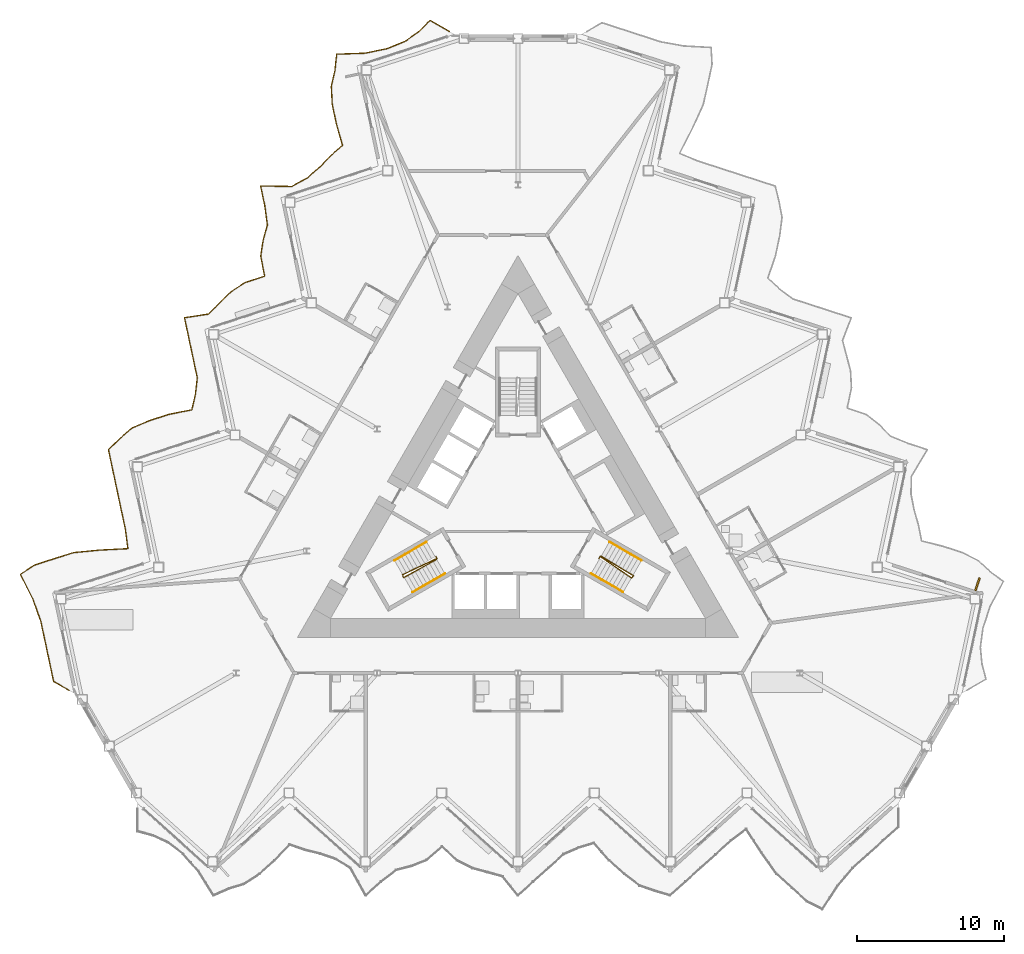
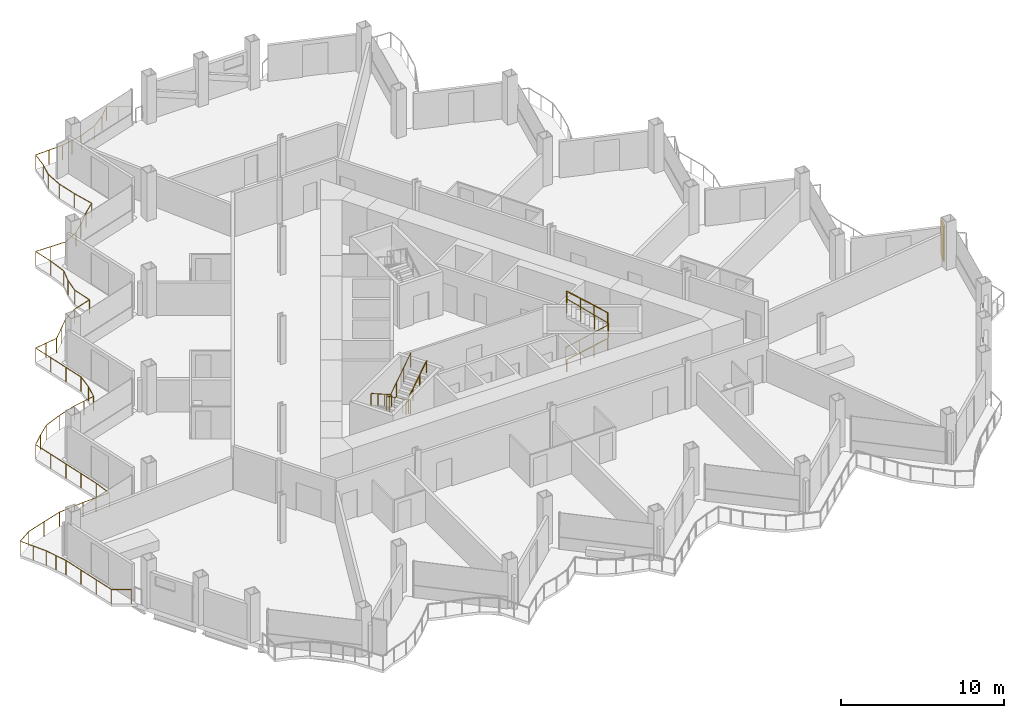
# One storey, part 20 of 24: 7 railings, 1 shading device.
"""IFC4 building model written with IfcOpenShell, lengths in metres."""

from ifc_helpers import new_model, si_unit, direction, frame, origin, origin_2d, place, context, subcontext, project, spatial, rectangle, circle, extrude, material, layer, layer_set, type_object, element, save


model = new_model("IFC4")

# Units and contexts
model_context = context("Model", 3, precision=1e-05, world=origin(), true_north=direction((0.0, 1.0)))
body_context = subcontext(model_context, "Body", "Model", "MODEL_VIEW")
ifc_project = project(units=[si_unit("LENGTHUNIT", "METRE"), si_unit("AREAUNIT", "SQUARE_METRE"), si_unit("VOLUMEUNIT", "CUBIC_METRE"), si_unit("PLANEANGLEUNIT", "RADIAN"), si_unit("MASSUNIT", "GRAM", prefix="KILO")], contexts=[model_context])

# Site, building, storey
site_placement = place(None, origin())
site = spatial("IfcSite", under=ifc_project, at=site_placement, CompositionType="ELEMENT")
building_placement = place(site_placement, origin())
building = spatial("IfcBuilding", under=site, at=building_placement, Name="Cormorant Prow Tower", CompositionType="ELEMENT")
storey_placement = place(building_placement, frame((0.0, 0.0, 234.60009765625)))
storey = spatial("IfcBuildingStorey", under=building, at=storey_placement, Name="L51", CompositionType="ELEMENT", Elevation=234.60009765625)

# Railings
ifc_material_1 = material(Name="Aluminium 6063-T6", Category="aluminium")
railing_type_1 = type_object("IfcRailingType", Name="Balcony guard 1100", PredefinedType="GUARDRAIL", material=ifc_material_1)
railing_1_placement = place(storey_placement, frame((-4.653076171875, 32.54638671875, 0.0)))
element("IfcRailing", 1, at=railing_1_placement, inside=storey, type_object=railing_type_1, Name="Balcony guard WNW", PredefinedType="GUARDRAIL", context=body_context, shape_type="SweptSolid", body=[
    extrude(circle(Radius=0.02392578125, at=origin_2d()), frame((0.0, 0.0, 1.076171875), z_axis=(-0.866030456496, 0.499991248344, 0.0), x_axis=(-0.499991248344, -0.866030456496, 0.0)), (0.0, 0.0, 1.0), 1.52001953125),
    extrude(circle(Radius=0.02392578125, at=origin_2d()), frame((-1.31640625, 0.760009765625, 1.076171875), z_axis=(-0.709948130497, -0.704253968398, 0.0), x_axis=(0.704253968398, -0.709948130497, 0.0)), (0.0, 0.0, 1.0), 1.07177734375),
    extrude(circle(Radius=0.02392578125, at=origin_2d()), frame((-2.077392578125, 0.005126953125, 1.076171875), z_axis=(-0.81387858122, -0.581034986065, 0.0), x_axis=(0.581034986065, -0.81387858122, 0.0)), (0.0, 0.0, 1.0), 1.136474609375),
    extrude(circle(Radius=0.02392578125, at=origin_2d()), frame((-3.00244140625, -0.6552734375, 1.076171875), z_axis=(-0.924048758749, -0.382274628316, 0.0), x_axis=(0.382274628316, -0.924048758749, 0.0)), (0.0, 0.0, 1.0), 1.30419921875),
    extrude(circle(Radius=0.02392578125, at=origin_2d()), frame((-4.20751953125, -1.15380859375, 1.076171875), z_axis=(-0.978951631347, -0.204092389574, 0.0), x_axis=(0.204092389574, -0.978951631347, 0.0)), (0.0, 0.0, 1.0), 1.552734375),
    extrude(circle(Radius=0.02392578125, at=origin_2d()), frame((-5.7275390625, -1.470703125, 1.076171875), z_axis=(-0.99935805819, -0.0358255709, 0.0), x_axis=(0.0358255709, -0.99935805819, 0.0)), (0.0, 0.0, 1.0), 1.948974609375),
    extrude(circle(Radius=0.02392578125, at=origin_2d()), frame((-7.67529296875, -1.54052734375, 1.076171875), z_axis=(-0.105481989889, -0.994421213475, 0.0), x_axis=(0.994421213475, -0.105481989889, 0.0)), (0.0, 0.0, 1.0), 1.1318359375),
    extrude(circle(Radius=0.02392578125, at=origin_2d()), frame((-7.794677734375, -2.666015625, 1.076171875), z_axis=(-0.227943707868, -0.9736743121, 0.0), x_axis=(0.9736743121, -0.227943707868, 0.0)), (0.0, 0.0, 1.0), 1.080810546875),
    extrude(circle(Radius=0.02392578125, at=origin_2d()), frame((-8.041015625, -3.71826171875, 1.076171875), z_axis=(0.052454940014, -0.998623291972, 0.0), x_axis=(0.998623291972, 0.052454940014, 0.0)), (0.0, 0.0, 1.0), 1.2333984375),
    extrude(circle(Radius=0.02392578125, at=origin_2d()), frame((-7.976318359375, -4.949951171875, 1.076171875), z_axis=(0.207839876658, -0.978162862549, 0.0), x_axis=(0.978162862549, 0.207839876658, 0.0)), (0.0, 0.0, 1.0), 1.39208984375),
    extrude(circle(Radius=0.02392578125, at=origin_2d()), frame((-7.68701171875, -6.3115234375, 1.076171875), z_axis=(0.275132806715, -0.961406229785, 0.0), x_axis=(0.961406229785, 0.275132806715, 0.0)), (0.0, 0.0, 1.0), 1.488037109375),
    extrude(circle(Radius=0.02392578125, at=origin_2d()), frame((-7.277587890625, -7.7421875, 1.076171875), z_axis=(-0.753489023011, -0.65746048718, 0.0), x_axis=(0.65746048718, -0.753489023011, 0.0)), (0.0, 0.0, 1.0), 1.09326171875),
    extrude(circle(Radius=0.02392578125, at=origin_2d()), frame((-8.101318359375, -8.4609375, 1.076171875), z_axis=(-0.693813337766, -0.720154880798, 0.0), x_axis=(0.720154880798, -0.693813337766, 0.0)), (0.0, 0.0, 1.0), 1.06591796875),
    extrude(circle(Radius=0.02392578125, at=origin_2d()), frame((-8.8408203125, -9.228515625, 1.076171875), z_axis=(-0.754509398833, -0.656289240405, 0.0), x_axis=(0.656289240405, -0.754509398833, 0.0)), (0.0, 0.0, 1.0), 1.09375),
    extrude(circle(Radius=0.02392578125, at=origin_2d()), frame((-9.666015625, -9.9462890625, 1.076171875), z_axis=(-0.875052262884, -0.484028446706, 0.0), x_axis=(0.484028446706, -0.875052262884, 0.0)), (0.0, 0.0, 1.0), 1.20751953125),
    extrude(circle(Radius=0.02392578125, at=origin_2d()), frame((-10.72265625, -10.53076171875, 1.076171875), z_axis=(-0.999884971682, 0.015167181827, 0.0), x_axis=(-0.015167181827, -0.999884971682, 0.0)), (0.0, 0.0, 1.0), 2.124755859375),
    extrude(circle(Radius=0.02392578125, at=origin_2d()), frame((-12.84716796875, -10.49853515625, 1.076171875), z_axis=(0.207839876658, -0.978162862549, 0.0), x_axis=(0.978162862549, 0.207839876658, 0.0)), (0.0, 0.0, 1.0), 1.39208984375),
    extrude(circle(Radius=0.02392578125, at=origin_2d()), frame((-12.557861328125, -11.860107421875, 1.076171875), z_axis=(0.132384177483, -0.991198481411, 0.0), x_axis=(0.991198481411, 0.132384177483, 0.0)), (0.0, 0.0, 1.0), 1.3056640625),
    extrude(circle(Radius=0.02392578125, at=origin_2d()), frame((-12.385009765625, -13.154296875, 1.076171875), z_axis=(-0.271063528875, -0.962561459499, 0.0), x_axis=(0.962561459499, -0.271063528875, 0.0)), (0.0, 0.0, 1.0), 1.0673828125),
    extrude(circle(Radius=0.02392578125, at=origin_2d()), frame((-12.67431640625, -14.181640625, 1.076171875), z_axis=(-0.145936226657, -0.989293999653, 0.0), x_axis=(0.989293999653, -0.145936226657, 0.0)), (0.0, 0.0, 1.0), 1.112548828125),
    extrude(circle(Radius=0.02392578125, at=origin_2d()), frame((-12.836669921875, -15.2822265625, 1.076171875), z_axis=(0.194408701463, -0.980920616969, 0.0), x_axis=(0.980920616969, 0.194408701463, 0.0)), (0.0, 0.0, 1.0), 1.375),
    extrude(circle(Radius=0.02392578125, at=origin_2d()), frame((-12.5693359375, -16.631103515625, 1.076171875), z_axis=(-0.951110082856, -0.308852084807, 0.0), x_axis=(0.308852084807, -0.951110082856, 0.0)), (0.0, 0.0, 1.0), 1.39208984375),
    extrude(circle(Radius=0.02392578125, at=origin_2d()), frame((-13.893310546875, -17.06103515625, 1.076171875), z_axis=(-0.83799137087, -0.545683481835, 0.0), x_axis=(0.545683481835, -0.83799137087, 0.0)), (0.0, 0.0, 1.0), 1.16015625),
    extrude(circle(Radius=0.02392578125, at=origin_2d()), frame((-14.865478515625, -17.694091796875, 1.076171875), z_axis=(-0.709267259523, -0.704939681511, 0.0), x_axis=(0.704939681511, -0.709267259523, 0.0)), (0.0, 0.0, 1.0), 1.07177734375),
    extrude(circle(Radius=0.02392578125, at=origin_2d()), frame((-15.625732421875, -18.44970703125, 1.076171875), z_axis=(-0.710627202132, -0.703568745462, 0.0), x_axis=(0.703568745462, -0.710627202132, 0.0)), (0.0, 0.0, 1.0), 1.072265625),
    extrude(circle(Radius=0.02392578125, at=origin_2d()), frame((-16.3876953125, -19.2041015625, 1.076171875), z_axis=(-0.988237955064, -0.152923981673, 0.0), x_axis=(0.152923981673, -0.988237955064, 0.0)), (0.0, 0.0, 1.0), 1.65087890625),
    extrude(circle(Radius=0.02392578125, at=origin_2d()), frame((-18.01904296875, -19.45654296875, 1.076171875), z_axis=(0.207839876658, -0.978162862549, 0.0), x_axis=(0.978162862549, 0.207839876658, 0.0)), (0.0, 0.0, 1.0), 1.39208984375),
    extrude(circle(Radius=0.02392578125, at=origin_2d()), frame((-17.729736328125, -20.818115234375, 1.076171875), z_axis=(0.207875540112, -0.978155284105, 0.0), x_axis=(0.978155284105, 0.207875540112, 0.0)), (0.0, 0.0, 1.0), 1.391845703125),
    extrude(circle(Radius=0.02392578125, at=origin_2d()), frame((-17.4404296875, -22.179443359375, 1.076171875), z_axis=(0.207839876658, -0.978162862549, 0.0), x_axis=(0.978162862549, 0.207839876658, 0.0)), (0.0, 0.0, 1.0), 1.39208984375),
    extrude(circle(Radius=0.02392578125, at=origin_2d()), frame((-17.151123046875, -23.541015625, 1.076171875), z_axis=(-0.110716329171, -0.993852048574, 0.0), x_axis=(0.993852048574, -0.110716329171, 0.0)), (0.0, 0.0, 1.0), 1.12890625),
    extrude(circle(Radius=0.02392578125, at=origin_2d()), frame((-17.276123046875, -24.6630859375, 1.076171875), z_axis=(-0.22645869975, -0.974020768417, 0.0), x_axis=(0.974020768417, -0.22645869975, 0.0)), (0.0, 0.0, 1.0), 1.081298828125),
    extrude(circle(Radius=0.02392578125, at=origin_2d()), frame((-17.52099609375, -25.71630859375, 1.076171875), z_axis=(-0.981319493384, -0.192385165501, 0.0), x_axis=(0.192385165501, -0.981319493384, 0.0)), (0.0, 0.0, 1.0), 1.573486328125),
    extrude(circle(Radius=0.02392578125, at=origin_2d()), frame((-19.065185546875, -26.01904296875, 1.076171875), z_axis=(-0.951041802481, -0.30906227517, 0.0), x_axis=(0.30906227517, -0.951041802481, 0.0)), (0.0, 0.0, 1.0), 1.391845703125),
    extrude(circle(Radius=0.02392578125, at=origin_2d()), frame((-20.388916015625, -26.44921875, 1.076171875), z_axis=(-0.922670967492, -0.385588233414, 0.0), x_axis=(0.385588233414, -0.922670967492, 0.0)), (0.0, 0.0, 1.0), 1.300537109375),
    extrude(circle(Radius=0.02392578125, at=origin_2d()), frame((-21.5888671875, -26.95068359375, 1.076171875), z_axis=(-0.752258281375, -0.658868331385, 0.0), x_axis=(0.658868331385, -0.752258281375, 0.0)), (0.0, 0.0, 1.0), 1.0927734375),
    extrude(circle(Radius=0.02392578125, at=origin_2d()), frame((-22.410888671875, -27.670654296875, 1.076171875), z_axis=(-0.723669142106, -0.69014706604, 0.0), x_axis=(0.69014706604, -0.723669142106, 0.0)), (0.0, 0.0, 1.0), 1.077880859375),
    extrude(circle(Radius=0.02392578125, at=origin_2d()), frame((-23.19091796875, -28.41455078125, 1.076171875), z_axis=(0.207875540112, -0.978155284105, 0.0), x_axis=(0.978155284105, 0.207875540112, 0.0)), (0.0, 0.0, 1.0), 1.391845703125),
    extrude(circle(Radius=0.02392578125, at=origin_2d()), frame((-22.901611328125, -29.77587890625, 1.076171875), z_axis=(0.207839876658, -0.978162862549, 0.0), x_axis=(0.978162862549, 0.207839876658, 0.0)), (0.0, 0.0, 1.0), 1.39208984375),
    extrude(circle(Radius=0.02392578125, at=origin_2d()), frame((-22.6123046875, -31.137451171875, 1.076171875), z_axis=(0.207839876658, -0.978162862549, 0.0), x_axis=(0.978162862549, 0.207839876658, 0.0)), (0.0, 0.0, 1.0), 1.39208984375),
    extrude(circle(Radius=0.02392578125, at=origin_2d()), frame((-22.322998046875, -32.4990234375, 1.076171875), z_axis=(0.208007683287, -0.978127191982, 0.0), x_axis=(0.978127191982, 0.208007683287, 0.0)), (0.0, 0.0, 1.0), 1.39208984375),
    extrude(circle(Radius=0.02392578125, at=origin_2d()), frame((-22.033447265625, -33.860595703125, 1.076171875), z_axis=(0.128304635075, -0.991734803573, 0.0), x_axis=(0.991734803573, 0.128304635075, 0.0)), (0.0, 0.0, 1.0), 1.301513671875),
    extrude(circle(Radius=0.02392578125, at=origin_2d()), frame((-21.866455078125, -35.1513671875, 1.076171875), z_axis=(-0.998723398703, -0.05051309616, 0.0), x_axis=(0.05051309616, -0.998723398703, 0.0)), (0.0, 0.0, 1.0), 1.904296875),
    extrude(circle(Radius=0.02392578125, at=origin_2d()), frame((-23.768310546875, -35.24755859375, 1.076171875), z_axis=(-0.995416306258, -0.09563669398, 0.0), x_axis=(0.09563669398, -0.995416306258, 0.0)), (0.0, 0.0, 1.0), 1.78173828125),
    extrude(circle(Radius=0.02392578125, at=origin_2d()), frame((-25.5419921875, -35.41796875, 1.076171875), z_axis=(-0.954501595477, -0.298205808516, 0.0), x_axis=(0.298205808516, -0.954501595477, 0.0)), (0.0, 0.0, 1.0), 1.406494140625),
    extrude(circle(Radius=0.02392578125, at=origin_2d()), frame((-26.884521484375, -35.83740234375, 1.076171875), z_axis=(-0.951093348811, -0.308903612552, 0.0), x_axis=(0.308903612552, -0.951093348811, 0.0)), (0.0, 0.0, 1.0), 1.391845703125),
    extrude(circle(Radius=0.02392578125, at=origin_2d()), frame((-28.208251953125, -36.267333984375, 1.076171875), z_axis=(-0.835569946969, -0.549384076692, 0.0), x_axis=(0.549384076692, -0.835569946969, 0.0)), (0.0, 0.0, 1.0), 1.15771484375),
    extrude(circle(Radius=0.02392578125, at=origin_2d()), frame((-29.175537109375, -36.9033203125, 1.076171875), z_axis=(0.451494885501, -0.892273707091, 0.0), x_axis=(0.892273707091, 0.451494885501, 0.0)), (0.0, 0.0, 1.0), 1.890869140625),
    extrude(circle(Radius=0.02392578125, at=origin_2d()), frame((-28.32177734375, -38.590576171875, 1.076171875), z_axis=(0.336413821049, -0.94171425656, 0.0), x_axis=(0.94171425656, 0.336413821049, 0.0)), (0.0, 0.0, 1.0), 1.59814453125),
    extrude(circle(Radius=0.02392578125, at=origin_2d()), frame((-27.7841796875, -40.095458984375, 1.076171875), z_axis=(0.207839876658, -0.978162862549, 0.0), x_axis=(0.978162862549, 0.207839876658, 0.0)), (0.0, 0.0, 1.0), 1.39208984375),
    extrude(circle(Radius=0.02392578125, at=origin_2d()), frame((-27.494873046875, -41.45703125, 1.076171875), z_axis=(0.208007683287, -0.978127191982, 0.0), x_axis=(0.978127191982, 0.208007683287, 0.0)), (0.0, 0.0, 1.0), 1.39208984375),
    extrude(circle(Radius=0.02392578125, at=origin_2d()), frame((-27.205322265625, -42.818603515625, 1.076171875), z_axis=(0.207875540112, -0.978155284105, 0.0), x_axis=(0.978155284105, 0.207875540112, 0.0)), (0.0, 0.0, 1.0), 1.391845703125),
    extrude(circle(Radius=0.02392578125, at=origin_2d()), frame((-26.916015625, -44.179931640625, 1.076171875), z_axis=(0.866005645448, -0.500034220881, 0.0), x_axis=(0.500034220881, 0.866005645448, 0.0)), (0.0, 0.0, 1.0), 1.22021484375),
    extrude(circle(Radius=0.02099609375, at=origin_2d()), origin(), (0.0, 0.0, 1.0), 1.052001953125),
    extrude(circle(Radius=0.02099609375, at=origin_2d()), frame((-0.658203125, 0.3798828125, 0.0)), (0.0, 0.0, 1.0), 1.052001953125),
    extrude(circle(Radius=0.02099609375, at=origin_2d()), frame((-1.31640625, 0.760009765625, 0.0)), (0.0, 0.0, 1.0), 1.052001953125),
    extrude(circle(Radius=0.02099609375, at=origin_2d()), frame((-2.077392578125, 0.005126953125, 0.0)), (0.0, 0.0, 1.0), 1.052001953125),
    extrude(circle(Radius=0.02099609375, at=origin_2d()), frame((-3.00244140625, -0.6552734375, 0.0)), (0.0, 0.0, 1.0), 1.052001953125),
    extrude(circle(Radius=0.02099609375, at=origin_2d()), frame((-4.20751953125, -1.15380859375, 0.0)), (0.0, 0.0, 1.0), 1.052001953125),
    extrude(circle(Radius=0.02099609375, at=origin_2d()), frame((-4.967529296875, -1.312255859375, 0.0)), (0.0, 0.0, 1.0), 1.052001953125),
    extrude(circle(Radius=0.02099609375, at=origin_2d()), frame((-5.7275390625, -1.470703125, 0.0)), (0.0, 0.0, 1.0), 1.052001953125),
    extrude(circle(Radius=0.02099609375, at=origin_2d()), frame((-6.701416015625, -1.505615234375, 0.0)), (0.0, 0.0, 1.0), 1.052001953125),
    extrude(circle(Radius=0.02099609375, at=origin_2d()), frame((-7.67529296875, -1.54052734375, 0.0)), (0.0, 0.0, 1.0), 1.052001953125),
    extrude(circle(Radius=0.02099609375, at=origin_2d()), frame((-7.794677734375, -2.666015625, 0.0)), (0.0, 0.0, 1.0), 1.052001953125),
    extrude(circle(Radius=0.02099609375, at=origin_2d()), frame((-8.041015625, -3.71826171875, 0.0)), (0.0, 0.0, 1.0), 1.052001953125),
    extrude(circle(Radius=0.02099609375, at=origin_2d()), frame((-7.976318359375, -4.949951171875, 0.0)), (0.0, 0.0, 1.0), 1.052001953125),
    extrude(circle(Radius=0.02099609375, at=origin_2d()), frame((-7.68701171875, -6.3115234375, 0.0)), (0.0, 0.0, 1.0), 1.052001953125),
    extrude(circle(Radius=0.02099609375, at=origin_2d()), frame((-7.277587890625, -7.7421875, 0.0)), (0.0, 0.0, 1.0), 1.052001953125),
    extrude(circle(Radius=0.02099609375, at=origin_2d()), frame((-8.101318359375, -8.4609375, 0.0)), (0.0, 0.0, 1.0), 1.052001953125),
    extrude(circle(Radius=0.02099609375, at=origin_2d()), frame((-8.8408203125, -9.228515625, 0.0)), (0.0, 0.0, 1.0), 1.052001953125),
    extrude(circle(Radius=0.02099609375, at=origin_2d()), frame((-9.666015625, -9.9462890625, 0.0)), (0.0, 0.0, 1.0), 1.052001953125),
    extrude(circle(Radius=0.02099609375, at=origin_2d()), frame((-10.72265625, -10.53076171875, 0.0)), (0.0, 0.0, 1.0), 1.052001953125),
    extrude(circle(Radius=0.02099609375, at=origin_2d()), frame((-11.784912109375, -10.5146484375, 0.0)), (0.0, 0.0, 1.0), 1.052001953125),
    extrude(circle(Radius=0.02099609375, at=origin_2d()), frame((-12.84716796875, -10.49853515625, 0.0)), (0.0, 0.0, 1.0), 1.052001953125),
    extrude(circle(Radius=0.02099609375, at=origin_2d()), frame((-12.557861328125, -11.860107421875, 0.0)), (0.0, 0.0, 1.0), 1.052001953125),
    extrude(circle(Radius=0.02099609375, at=origin_2d()), frame((-12.385009765625, -13.154296875, 0.0)), (0.0, 0.0, 1.0), 1.052001953125),
    extrude(circle(Radius=0.02099609375, at=origin_2d()), frame((-12.67431640625, -14.181640625, 0.0)), (0.0, 0.0, 1.0), 1.052001953125),
    extrude(circle(Radius=0.02099609375, at=origin_2d()), frame((-12.836669921875, -15.2822265625, 0.0)), (0.0, 0.0, 1.0), 1.052001953125),
    extrude(circle(Radius=0.02099609375, at=origin_2d()), frame((-12.5693359375, -16.631103515625, 0.0)), (0.0, 0.0, 1.0), 1.052001953125),
    extrude(circle(Radius=0.02099609375, at=origin_2d()), frame((-13.893310546875, -17.06103515625, 0.0)), (0.0, 0.0, 1.0), 1.052001953125),
    extrude(circle(Radius=0.02099609375, at=origin_2d()), frame((-14.865478515625, -17.694091796875, 0.0)), (0.0, 0.0, 1.0), 1.052001953125),
    extrude(circle(Radius=0.02099609375, at=origin_2d()), frame((-15.625732421875, -18.44970703125, 0.0)), (0.0, 0.0, 1.0), 1.052001953125),
    extrude(circle(Radius=0.02099609375, at=origin_2d()), frame((-16.3876953125, -19.2041015625, 0.0)), (0.0, 0.0, 1.0), 1.052001953125),
    extrude(circle(Radius=0.02099609375, at=origin_2d()), frame((-17.203369140625, -19.330322265625, 0.0)), (0.0, 0.0, 1.0), 1.052001953125),
    extrude(circle(Radius=0.02099609375, at=origin_2d()), frame((-18.01904296875, -19.45654296875, 0.0)), (0.0, 0.0, 1.0), 1.052001953125),
    extrude(circle(Radius=0.02099609375, at=origin_2d()), frame((-17.729736328125, -20.818115234375, 0.0)), (0.0, 0.0, 1.0), 1.052001953125),
    extrude(circle(Radius=0.02099609375, at=origin_2d()), frame((-17.4404296875, -22.179443359375, 0.0)), (0.0, 0.0, 1.0), 1.052001953125),
    extrude(circle(Radius=0.02099609375, at=origin_2d()), frame((-17.151123046875, -23.541015625, 0.0)), (0.0, 0.0, 1.0), 1.052001953125),
    extrude(circle(Radius=0.02099609375, at=origin_2d()), frame((-17.276123046875, -24.6630859375, 0.0)), (0.0, 0.0, 1.0), 1.052001953125),
    extrude(circle(Radius=0.02099609375, at=origin_2d()), frame((-17.52099609375, -25.71630859375, 0.0)), (0.0, 0.0, 1.0), 1.052001953125),
    extrude(circle(Radius=0.02099609375, at=origin_2d()), frame((-18.29296875, -25.86767578125, 0.0)), (0.0, 0.0, 1.0), 1.052001953125),
    extrude(circle(Radius=0.02099609375, at=origin_2d()), frame((-19.065185546875, -26.01904296875, 0.0)), (0.0, 0.0, 1.0), 1.052001953125),
    extrude(circle(Radius=0.02099609375, at=origin_2d()), frame((-20.388916015625, -26.44921875, 0.0)), (0.0, 0.0, 1.0), 1.052001953125),
    extrude(circle(Radius=0.02099609375, at=origin_2d()), frame((-21.5888671875, -26.95068359375, 0.0)), (0.0, 0.0, 1.0), 1.052001953125),
    extrude(circle(Radius=0.02099609375, at=origin_2d()), frame((-22.410888671875, -27.670654296875, 0.0)), (0.0, 0.0, 1.0), 1.052001953125),
    extrude(circle(Radius=0.02099609375, at=origin_2d()), frame((-23.19091796875, -28.41455078125, 0.0)), (0.0, 0.0, 1.0), 1.052001953125),
    extrude(circle(Radius=0.02099609375, at=origin_2d()), frame((-22.901611328125, -29.77587890625, 0.0)), (0.0, 0.0, 1.0), 1.052001953125),
    extrude(circle(Radius=0.02099609375, at=origin_2d()), frame((-22.6123046875, -31.137451171875, 0.0)), (0.0, 0.0, 1.0), 1.052001953125),
    extrude(circle(Radius=0.02099609375, at=origin_2d()), frame((-22.322998046875, -32.4990234375, 0.0)), (0.0, 0.0, 1.0), 1.052001953125),
    extrude(circle(Radius=0.02099609375, at=origin_2d()), frame((-22.033447265625, -33.860595703125, 0.0)), (0.0, 0.0, 1.0), 1.052001953125),
    extrude(circle(Radius=0.02099609375, at=origin_2d()), frame((-21.866455078125, -35.1513671875, 0.0)), (0.0, 0.0, 1.0), 1.052001953125),
    extrude(circle(Radius=0.02099609375, at=origin_2d()), frame((-22.8173828125, -35.199462890625, 0.0)), (0.0, 0.0, 1.0), 1.052001953125),
    extrude(circle(Radius=0.02099609375, at=origin_2d()), frame((-23.768310546875, -35.24755859375, 0.0)), (0.0, 0.0, 1.0), 1.052001953125),
    extrude(circle(Radius=0.02099609375, at=origin_2d()), frame((-24.6552734375, -35.332763671875, 0.0)), (0.0, 0.0, 1.0), 1.052001953125),
    extrude(circle(Radius=0.02099609375, at=origin_2d()), frame((-25.5419921875, -35.41796875, 0.0)), (0.0, 0.0, 1.0), 1.052001953125),
    extrude(circle(Radius=0.02099609375, at=origin_2d()), frame((-26.884521484375, -35.83740234375, 0.0)), (0.0, 0.0, 1.0), 1.052001953125),
    extrude(circle(Radius=0.02099609375, at=origin_2d()), frame((-28.208251953125, -36.267333984375, 0.0)), (0.0, 0.0, 1.0), 1.052001953125),
    extrude(circle(Radius=0.02099609375, at=origin_2d()), frame((-29.175537109375, -36.9033203125, 0.0)), (0.0, 0.0, 1.0), 1.052001953125),
    extrude(circle(Radius=0.02099609375, at=origin_2d()), frame((-28.74853515625, -37.7470703125, 0.0)), (0.0, 0.0, 1.0), 1.052001953125),
    extrude(circle(Radius=0.02099609375, at=origin_2d()), frame((-28.32177734375, -38.590576171875, 0.0)), (0.0, 0.0, 1.0), 1.052001953125),
    extrude(circle(Radius=0.02099609375, at=origin_2d()), frame((-28.052978515625, -39.343017578125, 0.0)), (0.0, 0.0, 1.0), 1.052001953125),
    extrude(circle(Radius=0.02099609375, at=origin_2d()), frame((-27.7841796875, -40.095458984375, 0.0)), (0.0, 0.0, 1.0), 1.052001953125),
    extrude(circle(Radius=0.02099609375, at=origin_2d()), frame((-27.494873046875, -41.45703125, 0.0)), (0.0, 0.0, 1.0), 1.052001953125),
    extrude(circle(Radius=0.02099609375, at=origin_2d()), frame((-27.205322265625, -42.818603515625, 0.0)), (0.0, 0.0, 1.0), 1.052001953125),
    extrude(circle(Radius=0.02099609375, at=origin_2d()), frame((-26.916015625, -44.179931640625, 0.0)), (0.0, 0.0, 1.0), 1.052001953125),
    extrude(circle(Radius=0.02099609375, at=origin_2d()), frame((-25.859375, -44.7900390625, 0.0)), (0.0, 0.0, 1.0), 1.052001953125),
])
ifc_material_2 = material(Name="Stainless steel", Category="steel")
railing_type_2 = type_object("IfcRailingType", Name="Stair guard 1100", PredefinedType="GUARDRAIL", material=ifc_material_2)
railing_2_placement = place(storey_placement, frame((-5.585205078125, -3.137939453125, 0.0)))
element("IfcRailing", 2, at=railing_2_placement, inside=storey, type_object=railing_type_2, Name="L51 ST1 stair guard 1", PredefinedType="GUARDRAIL", context=body_context, shape_type="SweptSolid", body=[
    extrude(circle(Radius=0.02392578125, at=origin_2d()), frame((0.0, 0.0, 1.076171875), z_axis=(0.501036270542, -0.865426285481, 0.0), x_axis=(0.865426285481, 0.501036270542, 0.0)), (0.0, 0.0, 1.0), 0.150146484375),
    extrude(circle(Radius=0.02392578125, at=origin_2d()), frame((0.0751953125, -0.1298828125, 1.076171875), z_axis=(-0.739739923809, -0.353640102144, 0.572471416997), x_axis=(0.431308035802, -0.902204731895, 0.0)), (0.0, 0.0, 1.0), 3.143798828125),
    extrude(circle(Radius=0.02392578125, at=origin_2d()), frame((-2.25048828125, -1.24169921875, 2.8759765625), z_axis=(0.274721127897, -0.961523947641, 0.0), x_axis=(0.961523947641, 0.274721127897, 0.0)), (0.0, 0.0, 1.0), 0.2060546875),
    extrude(circle(Radius=0.02392578125, at=origin_2d()), frame((-2.19384765625, -1.43994140625, 2.8759765625), z_axis=(0.717223475266, 0.39568267656, 0.573607623727), x_axis=(-0.483052234887, 0.87559153626, 0.0)), (0.0, 0.0, 1.0), 3.13818359375),
    extrude(circle(Radius=0.02099609375, at=origin_2d()), origin(), (0.0, 0.0, 1.0), 1.052001953125),
    extrude(circle(Radius=0.02099609375, at=origin_2d()), frame((0.0751953125, -0.1298828125, 0.0)), (0.0, 0.0, 1.0), 1.052001953125),
    extrude(circle(Radius=0.02099609375, at=origin_2d()), frame((-0.699951171875, -0.50048828125, 0.599853515625)), (0.0, 0.0, 1.0), 1.052001953125),
    extrude(circle(Radius=0.02099609375, at=origin_2d()), frame((-1.475341796875, -0.87109375, 1.199951171875)), (0.0, 0.0, 1.0), 1.052001953125),
    extrude(circle(Radius=0.02099609375, at=origin_2d()), frame((-2.25048828125, -1.24169921875, 1.7998046875)), (0.0, 0.0, 1.0), 1.052001953125),
    extrude(circle(Radius=0.02099609375, at=origin_2d()), frame((-2.19384765625, -1.43994140625, 1.7998046875)), (0.0, 0.0, 1.0), 1.052001953125),
    extrude(circle(Radius=0.02099609375, at=origin_2d()), frame((-1.443603515625, -1.026123046875, 2.39990234375)), (0.0, 0.0, 1.0), 1.052001953125),
    extrude(circle(Radius=0.02099609375, at=origin_2d()), frame((-0.693359375, -0.612060546875, 2.999755859375)), (0.0, 0.0, 1.0), 1.052001953125),
    extrude(circle(Radius=0.02099609375, at=origin_2d()), frame((0.056884765625, -0.1982421875, 3.599853515625)), (0.0, 0.0, 1.0), 1.052001953125),
])
railing_3_placement = place(storey_placement, frame((5.510009765625, -3.267822265625, 0.0)))
element("IfcRailing", 3, at=railing_3_placement, inside=storey, type_object=railing_type_2, Name="L51 ST2 stair guard 1", PredefinedType="GUARDRAIL", context=body_context, shape_type="SweptSolid", body=[
    extrude(circle(Radius=0.02392578125, at=origin_2d()), frame((0.0, 0.0, 1.076171875), z_axis=(0.501036270542, 0.865426285481, 0.0), x_axis=(-0.865426285481, 0.501036270542, 0.0)), (0.0, 0.0, 1.0), 0.150146484375),
    extrude(circle(Radius=0.02392578125, at=origin_2d()), frame((0.0751953125, 0.1298828125, 1.076171875), z_axis=(0.676088294965, -0.463849688241, 0.572492868192), x_axis=(0.565732651216, 0.824588726183, 0.0)), (0.0, 0.0, 1.0), 3.143798828125),
    extrude(circle(Radius=0.02392578125, at=origin_2d()), frame((2.20068359375, -1.328369140625, 2.8759765625), z_axis=(0.695164929852, 0.718850276695, 0.0), x_axis=(-0.718850276695, 0.695164929852, 0.0)), (0.0, 0.0, 1.0), 0.2060546875),
    extrude(circle(Radius=0.02392578125, at=origin_2d()), frame((2.343994140625, -1.18017578125, 2.8759765625), z_axis=(-0.70127624584, 0.423301980654, 0.573608804147), x_axis=(-0.516770599887, -0.856123908726, 0.0)), (0.0, 0.0, 1.0), 3.13818359375),
    extrude(circle(Radius=0.02099609375, at=origin_2d()), origin(), (0.0, 0.0, 1.0), 1.052001953125),
    extrude(circle(Radius=0.02099609375, at=origin_2d()), frame((0.0751953125, 0.1298828125, 0.0)), (0.0, 0.0, 1.0), 1.052001953125),
    extrude(circle(Radius=0.02099609375, at=origin_2d()), frame((0.78369140625, -0.356201171875, 0.599853515625)), (0.0, 0.0, 1.0), 1.052001953125),
    extrude(circle(Radius=0.02099609375, at=origin_2d()), frame((1.4921875, -0.84228515625, 1.199951171875)), (0.0, 0.0, 1.0), 1.052001953125),
    extrude(circle(Radius=0.02099609375, at=origin_2d()), frame((2.20068359375, -1.328369140625, 1.7998046875)), (0.0, 0.0, 1.0), 1.052001953125),
    extrude(circle(Radius=0.02099609375, at=origin_2d()), frame((2.343994140625, -1.18017578125, 1.7998046875)), (0.0, 0.0, 1.0), 1.052001953125),
    extrude(circle(Radius=0.02099609375, at=origin_2d()), frame((1.6103515625, -0.7373046875, 2.39990234375)), (0.0, 0.0, 1.0), 1.052001953125),
    extrude(circle(Radius=0.02099609375, at=origin_2d()), frame((0.876953125, -0.294677734375, 2.999755859375)), (0.0, 0.0, 1.0), 1.052001953125),
    extrude(circle(Radius=0.02099609375, at=origin_2d()), frame((0.143310546875, 0.148193359375, 3.599853515625)), (0.0, 0.0, 1.0), 1.052001953125),
])
ifc_material_3 = material(Name="Stainless steel", Category="steel")
railing_type_3 = type_object("IfcRailingType", Name="Stair handrail 900", PredefinedType="HANDRAIL", material=ifc_material_3)
railing_4_placement = place(storey_placement, frame((-6.212890625, -2.150634765625, 0.179931640625)))
element("IfcRailing", 4, at=railing_4_placement, inside=storey, type_object=railing_type_3, Name="L51 ST1 stair handrail 1", PredefinedType="HANDRAIL", context=body_context, shape_type="SweptSolid", body=[
    extrude(circle(Radius=0.02392578125, at=origin_2d()), frame((0.0, 0.0, 0.8759765625), z_axis=(-0.72849590497, -0.42060268101, 0.54072830624), x_axis=(0.500004791531, -0.866022637375, 0.0)), (0.0, 0.0, 1.0), 2.99560546875),
    extrude(circle(Radius=0.02099609375, at=origin_2d()), origin(), (0.0, 0.0, 1.0), 0.851806640625),
    extrude(circle(Radius=0.02099609375, at=origin_2d()), frame((-0.7275390625, -0.419921875, 0.5400390625)), (0.0, 0.0, 1.0), 0.851806640625),
    extrude(circle(Radius=0.02099609375, at=origin_2d()), frame((-1.454833984375, -0.840087890625, 1.079833984375)), (0.0, 0.0, 1.0), 0.851806640625),
    extrude(circle(Radius=0.02099609375, at=origin_2d()), frame((-2.182373046875, -1.260009765625, 1.619873046875)), (0.0, 0.0, 1.0), 0.851806640625),
])
railing_5_placement = place(storey_placement, frame((-7.1513671875, -5.565185546875, 1.97998046875)))
element("IfcRailing", 5, at=railing_5_placement, inside=storey, type_object=railing_type_3, Name="L51 ST1 stair handrail 2", PredefinedType="HANDRAIL", context=body_context, shape_type="SweptSolid", body=[
    extrude(circle(Radius=0.02392578125, at=origin_2d()), frame((0.0, 0.0, 0.8759765625), z_axis=(0.72849590497, 0.42060268101, 0.54072830624), x_axis=(-0.500004791531, 0.866022637375, 0.0)), (0.0, 0.0, 1.0), 2.99560546875),
    extrude(circle(Radius=0.02099609375, at=origin_2d()), origin(), (0.0, 0.0, 1.0), 0.851806640625),
    extrude(circle(Radius=0.02099609375, at=origin_2d()), frame((0.7275390625, 0.419921875, 0.5400390625)), (0.0, 0.0, 1.0), 0.851806640625),
    extrude(circle(Radius=0.02099609375, at=origin_2d()), frame((1.454833984375, 0.840087890625, 1.079833984375)), (0.0, 0.0, 1.0), 0.851806640625),
    extrude(circle(Radius=0.02099609375, at=origin_2d()), frame((2.182373046875, 1.260009765625, 1.619873046875)), (0.0, 0.0, 1.0), 0.851806640625),
])
railing_6_placement = place(storey_placement, frame((4.968994140625, -4.30517578125, 0.179931640625)))
element("IfcRailing", 6, at=railing_6_placement, inside=storey, type_object=railing_type_3, Name="L51 ST2 stair handrail 1", PredefinedType="HANDRAIL", context=body_context, shape_type="SweptSolid", body=[
    extrude(circle(Radius=0.02392578125, at=origin_2d()), frame((0.0, 0.0, 0.8759765625), z_axis=(0.72849590497, -0.42060268101, 0.54072830624), x_axis=(0.500004791531, 0.866022637375, 0.0)), (0.0, 0.0, 1.0), 2.99560546875),
    extrude(circle(Radius=0.02099609375, at=origin_2d()), origin(), (0.0, 0.0, 1.0), 0.851806640625),
    extrude(circle(Radius=0.02099609375, at=origin_2d()), frame((0.7275390625, -0.419921875, 0.5400390625)), (0.0, 0.0, 1.0), 0.851806640625),
    extrude(circle(Radius=0.02099609375, at=origin_2d()), frame((1.454833984375, -0.840087890625, 1.079833984375)), (0.0, 0.0, 1.0), 0.851806640625),
    extrude(circle(Radius=0.02099609375, at=origin_2d()), frame((2.182373046875, -1.260009765625, 1.619873046875)), (0.0, 0.0, 1.0), 0.851806640625),
])
railing_7_placement = place(storey_placement, frame((8.395263671875, -3.41064453125, 1.97998046875)))
element("IfcRailing", 7, at=railing_7_placement, inside=storey, type_object=railing_type_3, Name="L51 ST2 stair handrail 2", PredefinedType="HANDRAIL", context=body_context, shape_type="SweptSolid", body=[
    extrude(circle(Radius=0.02392578125, at=origin_2d()), frame((0.0, 0.0, 0.8759765625), z_axis=(-0.72849590497, 0.42060268101, 0.54072830624), x_axis=(-0.500004791531, -0.866022637375, 0.0)), (0.0, 0.0, 1.0), 2.99560546875),
    extrude(circle(Radius=0.02099609375, at=origin_2d()), origin(), (0.0, 0.0, 1.0), 0.851806640625),
    extrude(circle(Radius=0.02099609375, at=origin_2d()), frame((-0.7275390625, 0.419921875, 0.5400390625)), (0.0, 0.0, 1.0), 0.851806640625),
    extrude(circle(Radius=0.02099609375, at=origin_2d()), frame((-1.454833984375, 0.840087890625, 1.079833984375)), (0.0, 0.0, 1.0), 0.851806640625),
    extrude(circle(Radius=0.02099609375, at=origin_2d()), frame((-2.182373046875, 1.260009765625, 1.619873046875)), (0.0, 0.0, 1.0), 0.851806640625),
])

# Shading device
ifc_material_4 = material(Name="Terracotta", Category="masonry")
ifc_layer = layer(ifc_material_4, 0.1201171875)
ifc_layer_set = layer_set([ifc_layer], Name="Terracotta")
shading_device_type = type_object("IfcShadingDeviceType", Name="Terracotta baguette fin 120x900x2600", PredefinedType="USERDEFINED", material=ifc_layer_set)
shading_device_placement = place(storey_placement, frame((31.23583984375, -5.02490234375, -0.000244140625), z_axis=(0.0, 0.0, 1.0), x_axis=(-0.951056543985, 0.309016909155, 0.0)))
element("IfcShadingDevice", 8, at=shading_device_placement, inside=storey, type_object=shading_device_type, Name="Baguette fin ENE01", ObjectType="BAGUETTE", PredefinedType="USERDEFINED", context=body_context, shape_type="SweptSolid", body=[
    extrude(rectangle(XDim=0.1201171875, YDim=0.89990234375, at=origin_2d()), origin(), (0.0, 0.0, 1.0), 2.60009765625),
])

save(model, "model.ifc")
